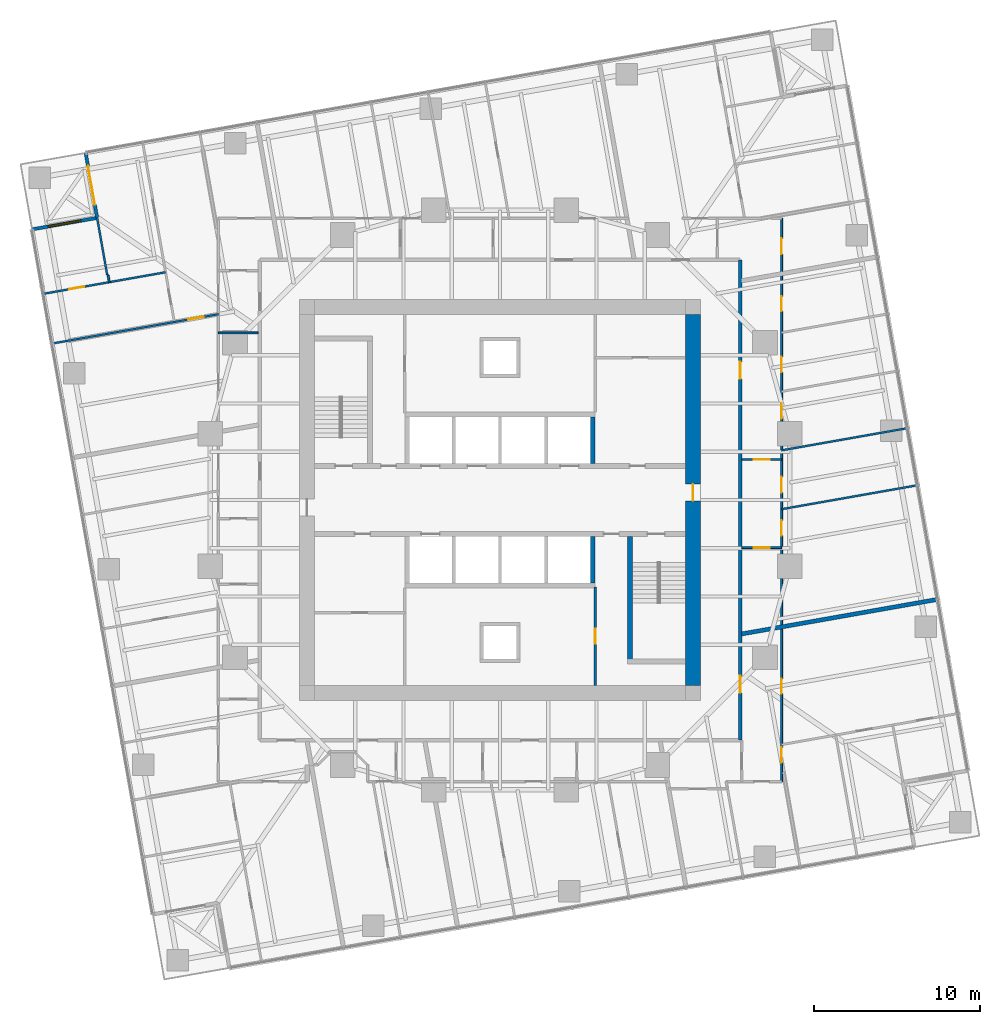
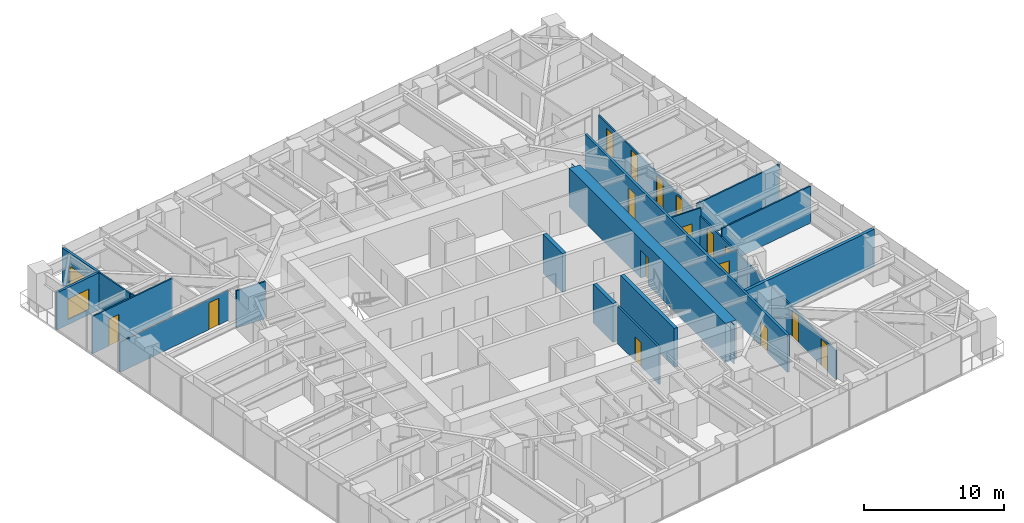
# One storey, part 11 of 14: 19 walls, 17 doors, 1 window, 18 openings.
"""IFC4 building model written with IfcOpenShell, lengths in metres."""

import ifcopenshell
import ifcopenshell.guid

model = None  # the IFC model being written
_history = None  # IfcOwnerHistory: only IFC2X3 demands one
_inside = {}  # id of a spatial element -> (the spatial element, [elements in it])
_under = {}  # id of a project, library or spatial element -> (it, [spatial elements below it])
_declared = {}  # id of a project -> (the project, [libraries it declares])
_typed = {}  # id of a type object -> (the type object, [elements of that type])
_made_of = {}  # id of a material, layer set ... -> (it, [elements and type objects made of it])


def new_model(schema):
    """Start an empty IFC model of exactly this schema.

    Asked for "IFC4X3", IfcOpenShell would pick the latest addendum, in which some entities
    have other attributes; the version numbers below select the first issue.
    IFC2X3 requires an IfcOwnerHistory on every rooted entity: one is made here for all.
    """
    global model, _history
    if schema == "IFC4X3":
        model = ifcopenshell.file(schema_version=(4, 3, 0, 0))
    else:
        model = ifcopenshell.file(schema=schema)
    _inside.clear()
    _under.clear()
    _declared.clear()
    _typed.clear()
    _made_of.clear()
    _history = None
    if model.schema == "IFC2X3":
        org = make("IfcOrganization", Name="unknown")
        user = make(
            "IfcPersonAndOrganization",
            ThePerson=make("IfcPerson", FamilyName="unknown"),
            TheOrganization=org,
        )
        app = make(
            "IfcApplication",
            ApplicationDeveloper=org,
            Version="unknown",
            ApplicationFullName="unknown",
            ApplicationIdentifier="unknown",
        )
        _history = make(
            "IfcOwnerHistory",
            OwningUser=user,
            OwningApplication=app,
            ChangeAction="ADDED",
            CreationDate=0,
        )
    return model


def make(cls, **values):
    """One entity of the class cls with the attributes given. An attribute that is None is left unset."""
    return model.create_entity(
        cls, **{name: value for name, value in values.items() if value is not None}
    )


def rooted(cls, **values):
    """An entity with a GlobalId (a new one), such as an element, a storey or a relation."""
    return make(cls, GlobalId=ifcopenshell.guid.new(), OwnerHistory=_history, **values)


def si_unit(unit_type, name, prefix=None):
    """IfcSIUnit, for example si_unit("LENGTHUNIT", "METRE", prefix="MILLI")."""
    return make("IfcSIUnit", UnitType=unit_type, Prefix=prefix, Name=name)


def assignment(units):
    """IfcUnitAssignment: the units of a project."""
    return None if units is None else make("IfcUnitAssignment", Units=units)


def point(xyz):
    """IfcCartesianPoint."""
    return None if xyz is None else make("IfcCartesianPoint", Coordinates=xyz)


def direction(xyz):
    """IfcDirection."""
    return None if xyz is None else make("IfcDirection", DirectionRatios=xyz)


def frame(location, z_axis=None, x_axis=None):
    """IfcAxis2Placement3D, a coordinate frame: its origin and axes. An axis left out is left unset."""
    return make(
        "IfcAxis2Placement3D",
        Location=point(location),
        Axis=direction(z_axis),
        RefDirection=direction(x_axis),
    )


def frame_2d(location, x_axis=None):
    """IfcAxis2Placement2D, a coordinate frame in the plane: its origin and x axis."""
    return make(
        "IfcAxis2Placement2D", Location=point(location), RefDirection=direction(x_axis)
    )


def origin():
    """The frame at (0, 0, 0) with its axes left unset."""
    return frame((0.0, 0.0, 0.0))


def place(relative_to, where):
    """IfcLocalPlacement: puts the frame where relative to a parent placement (None: the world)."""
    return make(
        "IfcLocalPlacement", PlacementRelTo=relative_to, RelativePlacement=where
    )


def context(
    kind, dimensions, precision=None, world=None, true_north=None, identifier=None
):
    """IfcGeometricRepresentationContext, for example the 3D "Model" context."""
    return make(
        "IfcGeometricRepresentationContext",
        ContextIdentifier=identifier,
        ContextType=kind,
        CoordinateSpaceDimension=dimensions,
        Precision=precision,
        WorldCoordinateSystem=world,
        TrueNorth=true_north,
    )


def subcontext(parent, identifier, kind, view, scale=None):
    """IfcGeometricRepresentationSubContext, for example "Body" below "Model"."""
    return make(
        "IfcGeometricRepresentationSubContext",
        ContextIdentifier=identifier,
        ContextType=kind,
        ParentContext=parent,
        TargetScale=scale,
        TargetView=view,
    )


def project(units=None, contexts=None):
    """IfcProject with its units and contexts."""
    return rooted(
        "IfcProject",
        Name="project",
        RepresentationContexts=contexts,
        UnitsInContext=assignment(units),
    )


def spatial(cls, under=None, at=None, **own):
    """A site, building, storey or space (cls), placed at a placement, below another one or the project."""
    s = rooted(cls, ObjectPlacement=at, **own)
    if under is not None:
        _under.setdefault(under.id(), (under, []))[1].append(s)
    return s


def polyline(points):
    """IfcPolyline through the points."""
    return make("IfcPolyline", Points=[point(p) for p in points])


def profile(cls, at=None, kind="AREA", **sizes):
    """A parametric profile (cls). Its sizes go by their IFC names, for example OverallWidth=200.0."""
    return make(cls, ProfileType=kind, Position=at, **sizes)


def rectangle(**sizes):
    """IfcRectangleProfileDef."""
    return profile("IfcRectangleProfileDef", **sizes)


def outline(outer, holes=None, kind="AREA"):
    """IfcArbitraryClosedProfileDef: a profile drawn as a closed curve; with holes, ...WithVoids."""
    if holes is None:
        return make("IfcArbitraryClosedProfileDef", ProfileType=kind, OuterCurve=outer)
    return make(
        "IfcArbitraryProfileDefWithVoids",
        ProfileType=kind,
        OuterCurve=outer,
        InnerCurves=holes,
    )


def extrude(swept, where, along, depth):
    """IfcExtrudedAreaSolid: the profile swept, set in the frame where, extruded along a direction by depth."""
    return make(
        "IfcExtrudedAreaSolid",
        SweptArea=swept,
        Position=where,
        ExtrudedDirection=direction(along),
        Depth=depth,
    )


def shape(context_of_items, identifier, shape_type, items):
    """IfcShapeRepresentation: the items that make up one representation, for example the "Body"."""
    return make(
        "IfcShapeRepresentation",
        ContextOfItems=context_of_items,
        RepresentationIdentifier=identifier,
        RepresentationType=shape_type,
        Items=items,
    )


def material(Name=None, Category=None):
    """IfcMaterial."""
    return make("IfcMaterial", Name=Name, Category=Category)


def layer(
    of_material, thickness, ventilated=None, Name=None, Category=None, Priority=None
):
    """IfcMaterialLayer: one layer of a wall or slab, of a material (None: an air gap)."""
    return make(
        "IfcMaterialLayer",
        Material=of_material,
        LayerThickness=thickness,
        IsVentilated=ventilated,
        Name=Name,
        Category=Category,
        Priority=Priority,
    )


def layer_set(layers, Name=None):
    """IfcMaterialLayerSet."""
    return make("IfcMaterialLayerSet", MaterialLayers=layers, LayerSetName=Name)


def made_of(thing, what):
    """Note that an element or type object is made of a material, layer set ...; save() writes the relation."""
    if what is not None:
        _made_of.setdefault(what.id(), (what, []))[1].append(thing)
    return thing


def type_object(cls, material=None, **own):
    """A type object (cls), such as IfcWallType, which elements share."""
    return made_of(rooted(cls, **own), material)


def element(
    cls,
    number,
    at=None,
    inside=None,
    cuts=None,
    type_object=None,
    material=None,
    context=None,
    identifier="Body",
    shape_type=None,
    held_by="IfcProductDefinitionShape",
    body=None,
    shapes=None,
    **own,
):
    """One element of the class cls, such as IfcWall. Its Tag is "e" and its number.

    at: its placement. inside: the storey or other place that contains it. cuts: it is an
    opening in that element (IfcRelVoidsElement). A single representation is given by context,
    identifier, shape_type and body (its items); several are given by shapes. held_by: the class
    of the entity that holds the representations. save() writes the other relations.
    """
    e = rooted(cls, Tag="e%d" % number, ObjectPlacement=at, **own)
    if body is not None:
        shapes = [shape(context, identifier, shape_type, body)]
    if shapes is not None:
        e.Representation = make(held_by, Representations=shapes)
    if inside is not None:
        _inside.setdefault(inside.id(), (inside, []))[1].append(e)
    if cuts is not None:
        rooted(
            "IfcRelVoidsElement", RelatingBuildingElement=cuts, RelatedOpeningElement=e
        )
    if type_object is not None:
        _typed.setdefault(type_object.id(), (type_object, []))[1].append(e)
    return made_of(e, material)


def fill(opening, filler):
    """IfcRelFillsElement: the door or window that sits in an opening."""
    return rooted(
        "IfcRelFillsElement",
        RelatingOpeningElement=opening,
        RelatedBuildingElement=filler,
    )


def aggregate(whole, parts):
    """IfcRelAggregates: a whole, such as a stair, and the parts it consists of."""
    return rooted("IfcRelAggregates", RelatingObject=whole, RelatedObjects=parts)


def save(model, path):
    """Write the relations noted so far, then the file.

    IfcRelAggregates (storeys below a building ...), IfcRelContainedInSpatialStructure (elements
    in a storey), IfcRelDefinesByType, IfcRelAssociatesMaterial and IfcRelDeclares: one each for
    every whole, place, type object, material and project.
    """
    for whole, parts in _under.values():
        aggregate(whole, parts)
    for where, things in _inside.values():
        rooted(
            "IfcRelContainedInSpatialStructure",
            RelatedElements=things,
            RelatingStructure=where,
        )
    for kind, things in _typed.values():
        rooted("IfcRelDefinesByType", RelatedObjects=things, RelatingType=kind)
    for what, things in _made_of.values():
        rooted("IfcRelAssociatesMaterial", RelatedObjects=things, RelatingMaterial=what)
    for by, libraries in _declared.values():
        rooted("IfcRelDeclares", RelatingContext=by, RelatedDefinitions=libraries)
    model.write(path)


model = new_model("IFC4")

# Units and contexts
model_context = context("Model", 3, precision=1e-05, world=origin(), true_north=direction((0.0, 1.0)))
body_context = subcontext(model_context, "Body", "Model", "MODEL_VIEW")
ifc_project = project(units=[si_unit("LENGTHUNIT", "METRE"), si_unit("AREAUNIT", "SQUARE_METRE"), si_unit("VOLUMEUNIT", "CUBIC_METRE"), si_unit("PLANEANGLEUNIT", "RADIAN"), si_unit("MASSUNIT", "GRAM", prefix="KILO")], contexts=[model_context])

# Site, building, storey
site_placement = place(None, origin())
site = spatial("IfcSite", under=ifc_project, at=site_placement, CompositionType="ELEMENT")
building_placement = place(site_placement, origin())
building = spatial("IfcBuilding", under=site, at=building_placement, Name="Torsade Residences", CompositionType="ELEMENT")
storey_placement = place(building_placement, frame((0.0, 0.0, 79.39990234375)))
storey = spatial("IfcBuildingStorey", under=building, at=storey_placement, Name="L21", CompositionType="ELEMENT", Elevation=79.39990234375)

# Walls
ifc_material_1 = material(Name="Concrete 80 MPa", Category="concrete")
ifc_layer_1 = layer(ifc_material_1, 0.300048828125)
ifc_layer_set_1 = layer_set([ifc_layer_1], Name="Concrete 80 MPa")
wall_type_1 = type_object("IfcWallType", Name="CORE INTERNAL WALL 300", PredefinedType="SHEAR", material=ifc_layer_set_1)
for number, where, z_axis, x_axis, name in (
    (1, (45.60009765625, 27.800048828125, 0.0), (0.0, 0.0, 1.0), (0.0, -1.0, 0.0), "Core wall DS0 L21"),
    (2, (45.60009765625, 32.199951171875, 0.0), (0.0, 0.0, 1.0), (0.0, 1.0, 0.0), "Core wall DN4 L21"),
):
    element("IfcWall", number, at=place(storey_placement, frame(where, z_axis=z_axis, x_axis=x_axis)), inside=storey, type_object=wall_type_1, Name=name, PredefinedType="SHEAR", context=body_context, shape_type="SweptSolid", body=[
        extrude(rectangle(XDim=2.800048828125, YDim=0.300048828125, at=frame_2d((1.39990234375, 0.0))), origin(), (0.0, 0.0, 1.0), 3.400146484375),
    ])
wall_1_placement = place(storey_placement, frame((47.85009765625, 27.800048828125, 0.0), z_axis=(0.0, 0.0, 1.0), x_axis=(0.0, -1.0, 0.0)))
element("IfcWall", 3, at=wall_1_placement, inside=storey, type_object=wall_type_1, Name="Core wall ST2W L21", PredefinedType="SHEAR", context=body_context, shape_type="SweptSolid", body=[
    extrude(rectangle(XDim=7.699951171875, YDim=0.300048828125, at=frame_2d((3.85009765625, 0.0))), origin(), (0.0, 0.0, 1.0), 3.400146484375),
])

# Wall, opening, door
ifc_material_2 = material(Name="Concrete 80 MPa", Category="concrete")
ifc_layer_2 = layer(ifc_material_2, 0.89990234375)
ifc_layer_set_2 = layer_set([ifc_layer_2], Name="Concrete 80 MPa")
wall_type_2 = type_object("IfcWallType", Name="CORE WALL 900", PredefinedType="SHEAR", material=ifc_layer_set_2)
wall_2_placement = place(storey_placement, frame((51.64990234375, 18.800048828125, 0.0), z_axis=(0.0, 0.0, 1.0), x_axis=(0.0, 1.0, 0.0)))
wall_2 = element("IfcWall", 4, at=wall_2_placement, inside=storey, type_object=wall_type_2, Name="Core wall E L21", PredefinedType="SHEAR", context=body_context, shape_type="SweptSolid", body=[
    extrude(outline(polyline([(0.0, -0.449951171875), (22.39990234375, -0.449951171875), (22.39990234375, -0.02490234375), (22.849853515625, -0.02490234375), (22.849853515625, 0.02490234375), (22.39990234375, 0.02490234375), (22.39990234375, 0.449951171875), (0.0, 0.449951171875), (0.0, 0.02490234375), (-0.449951171875, 0.02490234375), (-0.449951171875, -0.02490234375), (0.0, -0.02490234375), (0.0, -0.449951171875)])), origin(), (0.0, 0.0, 1.0), 3.400146484375),
])
opening_1_placement = place(wall_2_placement, frame((11.139892578125, 0.0, 0.0)))
opening_1 = element("IfcOpeningElement", 5, at=opening_1_placement, cuts=wall_2, Name="Opening D04", PredefinedType="OPENING", context=body_context, shape_type="SweptSolid", body=[
    extrude(rectangle(XDim=1.02001953125, YDim=2.39990234375, at=frame_2d((0.510009765625, 1.199951171875))), frame((0.0, 0.4599609375, 0.0), z_axis=(0.0, -1.0, 0.0), x_axis=(1.0, 0.0, 0.0)), (0.0, 0.0, 1.0), 0.919921875),
])
ifc_material_3 = material(Name="Steel-framed fire door", Category="steel")
door_type_1 = type_object("IfcDoorType", Name="LOBBY SMOKE DOOR 1020x2400", OperationType="NOTDEFINED", PredefinedType="DOOR", material=ifc_material_3)
door_1_placement = place(opening_1_placement, origin())
door_1 = element("IfcDoor", 6, at=door_1_placement, inside=storey, type_object=door_type_1, Name="Lift lobby door E L21", OperationType="SINGLE_SWING_LEFT", OverallHeight=2.39990234375, OverallWidth=1.02001953125, PredefinedType="DOOR", context=body_context, shape_type="SweptSolid", body=[
    extrude(rectangle(XDim=1.02001953125, YDim=2.39990234375, at=frame_2d((0.510009765625, 1.199951171875))), frame((0.0, 0.02490234375, 0.0), z_axis=(0.0, -1.0, 0.0), x_axis=(1.0, 0.0, 0.0)), (0.0, 0.0, 1.0), 0.050048828125),
])
fill(opening_1, door_1)

# Wall, openings, doors
ifc_material_4 = material(Name="Plasterboard on steel stud", Category="steel")
ifc_layer_3 = layer(ifc_material_4, 0.199951171875)
ifc_layer_set_3 = layer_set([ifc_layer_3], Name="Plasterboard on steel stud")
wall_type_3 = type_object("IfcWallType", Name="CORRIDOR WALL 200", PredefinedType="PARTITIONING", material=ifc_layer_set_3)
wall_3_placement = place(storey_placement, frame((54.5, 15.5, 0.0), z_axis=(0.0, 0.0, 1.0), x_axis=(0.0, 1.0, 0.0)))
wall_3 = element("IfcWall", 7, at=wall_3_placement, inside=storey, type_object=wall_type_3, Name="Corridor wall L21", PredefinedType="PARTITIONING", context=body_context, shape_type="SweptSolid", body=[
    extrude(rectangle(XDim=29.0, YDim=0.199951171875, at=frame_2d((14.5, 0.0))), origin(), (0.0, 0.0, 1.0), 3.25),
])
opening_2_placement = place(wall_3_placement, frame((21.8154296875, 0.0, 0.0)))
opening_2 = element("IfcOpeningElement", 8, at=opening_2_placement, cuts=wall_3, Name="Opening D01", PredefinedType="OPENING", context=body_context, shape_type="SweptSolid", body=[
    extrude(rectangle(XDim=1.02001953125, YDim=2.340087890625, at=frame_2d((0.510009765625, 1.169921875))), frame((0.0, 0.10986328125, 0.0), z_axis=(0.0, -1.0, 0.0), x_axis=(1.0, 0.0, 0.0)), (0.0, 0.0, 1.0), 0.219970703125),
])
opening_3_placement = place(wall_3_placement, frame((2.85546875, 0.0, 0.0)))
opening_3 = element("IfcOpeningElement", 9, at=opening_3_placement, cuts=wall_3, Name="Opening D01L", PredefinedType="OPENING", context=body_context, shape_type="SweptSolid", body=[
    extrude(rectangle(XDim=1.02001953125, YDim=2.10009765625, at=frame_2d((0.510009765625, 1.050048828125))), frame((0.0, 0.10986328125, 0.0), z_axis=(0.0, -1.0, 0.0), x_axis=(1.0, 0.0, 0.0)), (0.0, 0.0, 1.0), 0.219970703125),
])
ifc_material_5 = material(Name="Solid-core timber fire door", Category="wood")
door_type_2 = type_object("IfcDoorType", Name="APARTMENT ENTRY DOOR 1020x2100", OperationType="NOTDEFINED", PredefinedType="DOOR", material=ifc_material_5)
door_2_placement = place(opening_3_placement, origin())
door_2 = element("IfcDoor", 10, at=door_2_placement, inside=storey, type_object=door_type_2, Name="Door Residential corridor to Kitchen and dining", OperationType="SINGLE_SWING_LEFT", OverallHeight=2.10009765625, OverallWidth=1.02001953125, PredefinedType="DOOR", context=body_context, shape_type="SweptSolid", body=[
    extrude(rectangle(XDim=1.02001953125, YDim=2.10009765625, at=frame_2d((0.510009765625, 1.050048828125))), frame((0.0, 0.02490234375, 0.0), z_axis=(0.0, -1.0, 0.0), x_axis=(1.0, 0.0, 0.0)), (0.0, 0.0, 1.0), 0.050048828125),
])
fill(opening_3, door_2)
ifc_material_6 = material(Name="Solid-core timber fire door", Category="wood")
door_type_3 = type_object("IfcDoorType", Name="APARTMENT ENTRY DOOR 1020x2340", OperationType="NOTDEFINED", PredefinedType="DOOR", material=ifc_material_6)
door_3_placement = place(opening_2_placement, origin())
door_3 = element("IfcDoor", 11, at=door_3_placement, inside=storey, type_object=door_type_3, Name="Door Residential corridor to Kitchen and dining", OperationType="SINGLE_SWING_LEFT", OverallHeight=2.340087890625, OverallWidth=1.02001953125, PredefinedType="DOOR", context=body_context, shape_type="SweptSolid", body=[
    extrude(rectangle(XDim=1.02001953125, YDim=2.340087890625, at=frame_2d((0.510009765625, 1.169921875))), frame((0.0, 0.02490234375, 0.0), z_axis=(0.0, -1.0, 0.0), x_axis=(1.0, 0.0, 0.0)), (0.0, 0.0, 1.0), 0.050048828125),
])
fill(opening_2, door_3)

ifc_material_7 = material(Name="Plasterboard on steel stud", Category="steel")
ifc_layer_4 = layer(ifc_material_7, 0.1201171875)
ifc_layer_set_4 = layer_set([ifc_layer_4], Name="Plasterboard on steel stud")
wall_type_4 = type_object("IfcWallType", Name="PARTITION 120", PredefinedType="PARTITIONING", material=ifc_layer_set_4)
wall_4_placement = place(storey_placement, frame((57.0, 47.0, 0.0), z_axis=(0.0, 0.0, 1.0), x_axis=(0.0, -1.0, 0.0)))
wall_4 = element("IfcWall", 12, at=wall_4_placement, inside=storey, type_object=wall_type_4, Name="Partition L21", PredefinedType="PARTITIONING", context=body_context, shape_type="SweptSolid", body=[
    extrude(rectangle(XDim=34.0, YDim=0.1201171875, at=frame_2d((17.0, 0.0))), origin(), (0.0, 0.0, 1.0), 2.550048828125),
])
opening_4_placement = place(wall_4_placement, frame((8.361328125, 0.0, 0.0)))
opening_4 = element("IfcOpeningElement", 13, at=opening_4_placement, cuts=wall_4, Name="Opening D02", PredefinedType="OPENING", context=body_context, shape_type="SweptSolid", body=[
    extrude(rectangle(XDim=0.919921875, YDim=2.340087890625, at=frame_2d((0.4599609375, 1.169921875))), frame((0.0, 0.070068359375, 0.0), z_axis=(0.0, -1.0, 0.0), x_axis=(1.0, 0.0, 0.0)), (0.0, 0.0, 1.0), 0.14013671875),
])
opening_5_placement = place(wall_4_placement, frame((11.16552734375, 0.0, 0.0)))
opening_5 = element("IfcOpeningElement", 14, at=opening_5_placement, cuts=wall_4, Name="Opening D02", PredefinedType="OPENING", context=body_context, shape_type="SweptSolid", body=[
    extrude(rectangle(XDim=0.919921875, YDim=2.340087890625, at=frame_2d((0.4599609375, 1.169921875))), frame((0.0, 0.070068359375, 0.0), z_axis=(0.0, -1.0, 0.0), x_axis=(1.0, 0.0, 0.0)), (0.0, 0.0, 1.0), 0.14013671875),
])
opening_6_placement = place(wall_4_placement, frame((4.682861328125, 0.0, 0.0)))
opening_6 = element("IfcOpeningElement", 15, at=opening_6_placement, cuts=wall_4, Name="Opening D02", PredefinedType="OPENING", context=body_context, shape_type="SweptSolid", body=[
    extrude(rectangle(XDim=0.919921875, YDim=2.340087890625, at=frame_2d((0.4599609375, 1.169921875))), frame((0.0, 0.070068359375, 0.0), z_axis=(0.0, -1.0, 0.0), x_axis=(1.0, 0.0, 0.0)), (0.0, 0.0, 1.0), 0.14013671875),
])
opening_7_placement = place(wall_4_placement, frame((27.78369140625, 0.0, 0.0)))
opening_7 = element("IfcOpeningElement", 16, at=opening_7_placement, cuts=wall_4, Name="Opening D02", PredefinedType="OPENING", context=body_context, shape_type="SweptSolid", body=[
    extrude(rectangle(XDim=0.919921875, YDim=2.340087890625, at=frame_2d((0.4599609375, 1.169921875))), frame((0.0, 0.070068359375, 0.0), z_axis=(0.0, -1.0, 0.0), x_axis=(1.0, 0.0, 0.0)), (0.0, 0.0, 1.0), 0.14013671875),
])
opening_8_placement = place(wall_4_placement, frame((31.939208984375, 0.0, 0.0)))
opening_8 = element("IfcOpeningElement", 17, at=opening_8_placement, cuts=wall_4, Name="Opening D02", PredefinedType="OPENING", context=body_context, shape_type="SweptSolid", body=[
    extrude(rectangle(XDim=0.919921875, YDim=2.340087890625, at=frame_2d((0.4599609375, 1.169921875))), frame((0.0, 0.070068359375, 0.0), z_axis=(0.0, -1.0, 0.0), x_axis=(1.0, 0.0, 0.0)), (0.0, 0.0, 1.0), 0.14013671875),
])
opening_9_placement = place(wall_4_placement, frame((15.600830078125, 0.0, 0.0)))
opening_9 = element("IfcOpeningElement", 18, at=opening_9_placement, cuts=wall_4, Name="Opening D05", PredefinedType="OPENING", context=body_context, shape_type="SweptSolid", body=[
    extrude(rectangle(XDim=0.9599609375, YDim=2.10009765625, at=frame_2d((0.47998046875, 1.050048828125))), frame((0.0, 0.070068359375, 0.0), z_axis=(0.0, -1.0, 0.0), x_axis=(1.0, 0.0, 0.0)), (0.0, 0.0, 1.0), 0.14013671875),
])
opening_10_placement = place(wall_4_placement, frame((18.209716796875, 0.0, 0.0)))
opening_10 = element("IfcOpeningElement", 19, at=opening_10_placement, cuts=wall_4, Name="Opening D05", PredefinedType="OPENING", context=body_context, shape_type="SweptSolid", body=[
    extrude(rectangle(XDim=0.9599609375, YDim=2.10009765625, at=frame_2d((0.47998046875, 1.050048828125))), frame((0.0, 0.070068359375, 0.0), z_axis=(0.0, -1.0, 0.0), x_axis=(1.0, 0.0, 0.0)), (0.0, 0.0, 1.0), 0.14013671875),
])
opening_11_placement = place(wall_4_placement, frame((1.190185546875, 0.0, 0.0)))
opening_11 = element("IfcOpeningElement", 20, at=opening_11_placement, cuts=wall_4, Name="Opening D05", PredefinedType="OPENING", context=body_context, shape_type="SweptSolid", body=[
    extrude(rectangle(XDim=0.9599609375, YDim=2.10009765625, at=frame_2d((0.47998046875, 1.050048828125))), frame((0.0, 0.070068359375, 0.0), z_axis=(0.0, -1.0, 0.0), x_axis=(1.0, 0.0, 0.0)), (0.0, 0.0, 1.0), 0.14013671875),
])
ifc_material_8 = material(Name="Hollow-core timber door in a steel cavity frame", Category="steel")
door_type_4 = type_object("IfcDoorType", Name="BATHROOM CAVITY SLIDING DOOR 960", OperationType="SLIDING_TO_LEFT", PredefinedType="DOOR", material=ifc_material_8)
door_4_placement = place(opening_9_placement, origin())
door_4 = element("IfcDoor", 21, at=door_4_placement, inside=storey, type_object=door_type_4, Name="Door Bathroom to Bedroom 1", OperationType="SLIDING_TO_LEFT", OverallHeight=2.10009765625, OverallWidth=0.9599609375, PredefinedType="DOOR", context=body_context, shape_type="SweptSolid", body=[
    extrude(rectangle(XDim=0.9599609375, YDim=2.10009765625, at=frame_2d((0.47998046875, 1.050048828125))), frame((0.0, 0.02490234375, 0.0), z_axis=(0.0, -1.0, 0.0), x_axis=(1.0, 0.0, 0.0)), (0.0, 0.0, 1.0), 0.050048828125),
])
fill(opening_9, door_4)
door_5_placement = place(opening_10_placement, origin())
door_5 = element("IfcDoor", 22, at=door_5_placement, inside=storey, type_object=door_type_4, Name="Door Bathroom to Living room", OperationType="SLIDING_TO_LEFT", OverallHeight=2.10009765625, OverallWidth=0.9599609375, PredefinedType="DOOR", context=body_context, shape_type="SweptSolid", body=[
    extrude(rectangle(XDim=0.9599609375, YDim=2.10009765625, at=frame_2d((0.47998046875, 1.050048828125))), frame((0.0, 0.02490234375, 0.0), z_axis=(0.0, -1.0, 0.0), x_axis=(1.0, 0.0, 0.0)), (0.0, 0.0, 1.0), 0.050048828125),
])
fill(opening_10, door_5)
door_6_placement = place(opening_11_placement, origin())
door_6 = element("IfcDoor", 23, at=door_6_placement, inside=storey, type_object=door_type_4, Name="Door Bathroom to Study", OperationType="SLIDING_TO_LEFT", OverallHeight=2.10009765625, OverallWidth=0.9599609375, PredefinedType="DOOR", context=body_context, shape_type="SweptSolid", body=[
    extrude(rectangle(XDim=0.9599609375, YDim=2.10009765625, at=frame_2d((0.47998046875, 1.050048828125))), frame((0.0, 0.02490234375, 0.0), z_axis=(0.0, -1.0, 0.0), x_axis=(1.0, 0.0, 0.0)), (0.0, 0.0, 1.0), 0.050048828125),
])
fill(opening_11, door_6)
ifc_material_9 = material(Name="Hollow-core timber door", Category="wood")
door_type_5 = type_object("IfcDoorType", Name="INTERNAL DOOR 920x2340", OperationType="NOTDEFINED", PredefinedType="DOOR", material=ifc_material_9)
door_7_placement = place(opening_4_placement, origin())
door_7 = element("IfcDoor", 24, at=door_7_placement, inside=storey, type_object=door_type_5, Name="Door Kitchen and dining to Study", OperationType="SINGLE_SWING_RIGHT", OverallHeight=2.340087890625, OverallWidth=0.919921875, PredefinedType="DOOR", context=body_context, shape_type="SweptSolid", body=[
    extrude(rectangle(XDim=0.919921875, YDim=2.340087890625, at=frame_2d((0.4599609375, 1.169921875))), frame((0.0, 0.02490234375, 0.0), z_axis=(0.0, -1.0, 0.0), x_axis=(1.0, 0.0, 0.0)), (0.0, 0.0, 1.0), 0.050048828125),
])
fill(opening_4, door_7)
door_8_placement = place(opening_5_placement, origin())
door_8 = element("IfcDoor", 25, at=door_8_placement, inside=storey, type_object=door_type_5, Name="Door Kitchen and dining to Bedroom 2", OperationType="SINGLE_SWING_RIGHT", OverallHeight=2.340087890625, OverallWidth=0.919921875, PredefinedType="DOOR", context=body_context, shape_type="SweptSolid", body=[
    extrude(rectangle(XDim=0.919921875, YDim=2.340087890625, at=frame_2d((0.4599609375, 1.169921875))), frame((0.0, 0.02490234375, 0.0), z_axis=(0.0, -1.0, 0.0), x_axis=(1.0, 0.0, 0.0)), (0.0, 0.0, 1.0), 0.050048828125),
])
fill(opening_5, door_8)
door_9_placement = place(opening_6_placement, origin())
door_9 = element("IfcDoor", 26, at=door_9_placement, inside=storey, type_object=door_type_5, Name="Door Kitchen and dining to Family room", OperationType="SINGLE_SWING_RIGHT", OverallHeight=2.340087890625, OverallWidth=0.919921875, PredefinedType="DOOR", context=body_context, shape_type="SweptSolid", body=[
    extrude(rectangle(XDim=0.919921875, YDim=2.340087890625, at=frame_2d((0.4599609375, 1.169921875))), frame((0.0, 0.02490234375, 0.0), z_axis=(0.0, -1.0, 0.0), x_axis=(1.0, 0.0, 0.0)), (0.0, 0.0, 1.0), 0.050048828125),
])
fill(opening_6, door_9)
door_10_placement = place(opening_7_placement, origin())
door_10 = element("IfcDoor", 27, at=door_10_placement, inside=storey, type_object=door_type_5, Name="Door Kitchen and dining to Living room", OperationType="SINGLE_SWING_RIGHT", OverallHeight=2.340087890625, OverallWidth=0.919921875, PredefinedType="DOOR", context=body_context, shape_type="SweptSolid", body=[
    extrude(rectangle(XDim=0.919921875, YDim=2.340087890625, at=frame_2d((0.4599609375, 1.169921875))), frame((0.0, 0.02490234375, 0.0), z_axis=(0.0, -1.0, 0.0), x_axis=(1.0, 0.0, 0.0)), (0.0, 0.0, 1.0), 0.050048828125),
])
fill(opening_7, door_10)
door_11_placement = place(opening_8_placement, origin())
door_11 = element("IfcDoor", 28, at=door_11_placement, inside=storey, type_object=door_type_5, Name="Door Kitchen and dining to Bedroom 2", OperationType="SINGLE_SWING_LEFT", OverallHeight=2.340087890625, OverallWidth=0.919921875, PredefinedType="DOOR", context=body_context, shape_type="SweptSolid", body=[
    extrude(rectangle(XDim=0.919921875, YDim=2.340087890625, at=frame_2d((0.4599609375, 1.169921875))), frame((0.0, 0.02490234375, 0.0), z_axis=(0.0, -1.0, 0.0), x_axis=(1.0, 0.0, 0.0)), (0.0, 0.0, 1.0), 0.050048828125),
])
fill(opening_8, door_11)

# Wall, opening, door
wall_5_placement = place(storey_placement, frame((57.0, 32.44580078125, 0.0), z_axis=(0.0, 0.0, 1.0), x_axis=(-1.0, 0.0, 0.0)))
wall_5 = element("IfcWall", 29, at=wall_5_placement, inside=storey, type_object=wall_type_4, Name="Partition L21", PredefinedType="PARTITIONING", context=body_context, shape_type="SweptSolid", body=[
    extrude(rectangle(XDim=2.39990234375, YDim=0.1201171875, at=frame_2d((1.199951171875, 0.0))), origin(), (0.0, 0.0, 1.0), 3.25),
])
opening_12_placement = place(wall_5_placement, frame((0.719970703125, 0.0, 0.0)))
opening_12 = element("IfcOpeningElement", 30, at=opening_12_placement, cuts=wall_5, Name="Opening D05", PredefinedType="OPENING", context=body_context, shape_type="SweptSolid", body=[
    extrude(rectangle(XDim=0.9599609375, YDim=2.10009765625, at=frame_2d((0.47998046875, 1.050048828125))), frame((0.0, 0.070068359375, 0.0), z_axis=(0.0, -1.0, 0.0), x_axis=(1.0, 0.0, 0.0)), (0.0, 0.0, 1.0), 0.14013671875),
])
door_12_placement = place(opening_12_placement, origin())
door_12 = element("IfcDoor", 31, at=door_12_placement, inside=storey, type_object=door_type_4, Name="Door Kitchen and dining to Bathroom", OperationType="SLIDING_TO_LEFT", OverallHeight=2.10009765625, OverallWidth=0.9599609375, PredefinedType="DOOR", context=body_context, shape_type="SweptSolid", body=[
    extrude(rectangle(XDim=0.9599609375, YDim=2.10009765625, at=frame_2d((0.47998046875, 1.050048828125))), frame((0.0, 0.02490234375, 0.0), z_axis=(0.0, -1.0, 0.0), x_axis=(1.0, 0.0, 0.0)), (0.0, 0.0, 1.0), 0.050048828125),
])
fill(opening_12, door_12)

wall_6_placement = place(storey_placement, frame((57.0, 27.126220703125, 0.0), z_axis=(0.0, 0.0, 1.0), x_axis=(-1.0, 0.0, 0.0)))
wall_6 = element("IfcWall", 32, at=wall_6_placement, inside=storey, type_object=wall_type_4, Name="Partition L21", PredefinedType="PARTITIONING", context=body_context, shape_type="SweptSolid", body=[
    extrude(rectangle(XDim=2.39990234375, YDim=0.1201171875, at=frame_2d((1.199951171875, 0.0))), origin(), (0.0, 0.0, 1.0), 2.796142578125),
])
opening_13_placement = place(wall_6_placement, frame((0.719970703125, 0.0, 0.0)))
opening_13 = element("IfcOpeningElement", 33, at=opening_13_placement, cuts=wall_6, Name="Opening D05", PredefinedType="OPENING", context=body_context, shape_type="SweptSolid", body=[
    extrude(rectangle(XDim=0.9599609375, YDim=2.10009765625, at=frame_2d((0.47998046875, 1.050048828125))), frame((0.0, 0.070068359375, 0.0), z_axis=(0.0, -1.0, 0.0), x_axis=(1.0, 0.0, 0.0)), (0.0, 0.0, 1.0), 0.14013671875),
])
door_13_placement = place(opening_13_placement, origin())
door_13 = element("IfcDoor", 34, at=door_13_placement, inside=storey, type_object=door_type_4, Name="Door Bathroom to Ensuite", OperationType="SLIDING_TO_LEFT", OverallHeight=2.10009765625, OverallWidth=0.9599609375, PredefinedType="DOOR", context=body_context, shape_type="SweptSolid", body=[
    extrude(rectangle(XDim=0.9599609375, YDim=2.10009765625, at=frame_2d((0.47998046875, 1.050048828125))), frame((0.0, 0.02490234375, 0.0), z_axis=(0.0, -1.0, 0.0), x_axis=(1.0, 0.0, 0.0)), (0.0, 0.0, 1.0), 0.050048828125),
])
fill(opening_13, door_13)

# Walls
wall_7_placement = place(storey_placement, frame((57.0, 29.443603515625, 0.0), z_axis=(0.0, 0.0, 1.0), x_axis=(0.984807787824, 0.173647980238, 0.0)))
element("IfcWall", 35, at=wall_7_placement, inside=storey, type_object=wall_type_4, Name="Partition L21", PredefinedType="PARTITIONING", context=body_context, shape_type="SweptSolid", body=[
    extrude(rectangle(XDim=8.314697265625, YDim=0.1201171875, at=frame_2d((4.1572265625, 0.0))), origin(), (0.0, 0.0, 1.0), 3.25),
])
wall_8_placement = place(storey_placement, frame((57.0, 32.99755859375, 0.0), z_axis=(0.0, 0.0, 1.0), x_axis=(0.984808453088, 0.173644207293, 0.0)))
element("IfcWall", 36, at=wall_8_placement, inside=storey, type_object=wall_type_4, Name="Partition L21", PredefinedType="PARTITIONING", context=body_context, shape_type="SweptSolid", body=[
    extrude(rectangle(XDim=7.69775390625, YDim=0.1201171875, at=frame_2d((3.848876953125, 0.0))), origin(), (0.0, 0.0, 1.0), 3.25),
])
wall_9_placement = place(storey_placement, frame((25.39990234375, 40.088134765625, 0.0), z_axis=(0.0, 0.0, 1.0), x_axis=(-1.0, 0.0, 0.0)))
element("IfcWall", 37, at=wall_9_placement, inside=storey, type_object=wall_type_4, Name="Partition L21", PredefinedType="PARTITIONING", context=body_context, shape_type="SweptSolid", body=[
    extrude(rectangle(XDim=2.39990234375, YDim=0.1201171875, at=frame_2d((1.199951171875, 0.0))), origin(), (0.0, 0.0, 1.0), 3.25),
])

# Wall, opening, door
wall_10_placement = place(storey_placement, frame((12.988037109375, 39.453125, 0.0), z_axis=(0.0, 0.0, 1.0), x_axis=(0.984807724889, 0.173648337162, 0.0)))
wall_10 = element("IfcWall", 38, at=wall_10_placement, inside=storey, type_object=wall_type_4, Name="Partition L21", PredefinedType="PARTITIONING", context=body_context, shape_type="SweptSolid", body=[
    extrude(rectangle(XDim=10.16650390625, YDim=0.1201171875, at=frame_2d((5.083251953125, 0.0))), origin(), (0.0, 0.0, 1.0), 2.63818359375),
])
opening_14_placement = place(wall_10_placement, frame((8.328125, 0.0, 0.0)))
opening_14 = element("IfcOpeningElement", 39, at=opening_14_placement, cuts=wall_10, Name="Opening D02", PredefinedType="OPENING", context=body_context, shape_type="SweptSolid", body=[
    extrude(rectangle(XDim=0.919921875, YDim=2.340087890625, at=frame_2d((0.4599609375, 1.169921875))), frame((0.0, 0.070068359375, 0.0), z_axis=(0.0, -1.0, 0.0), x_axis=(1.0, 0.0, 0.0)), (0.0, 0.0, 1.0), 0.14013671875),
])
door_14_placement = place(opening_14_placement, origin())
door_14 = element("IfcDoor", 40, at=door_14_placement, inside=storey, type_object=door_type_5, Name="Door Bedroom 1 to Living room", OperationType="SINGLE_SWING_LEFT", OverallHeight=2.340087890625, OverallWidth=0.919921875, PredefinedType="DOOR", context=body_context, shape_type="SweptSolid", body=[
    extrude(rectangle(XDim=0.919921875, YDim=2.340087890625, at=frame_2d((0.4599609375, 1.169921875))), frame((0.0, 0.02490234375, 0.0), z_axis=(0.0, -1.0, 0.0), x_axis=(1.0, 0.0, 0.0)), (0.0, 0.0, 1.0), 0.050048828125),
])
fill(opening_14, door_14)

wall_11_placement = place(storey_placement, frame((12.45849609375, 42.456787109375, 0.0), z_axis=(0.0, 0.0, 1.0), x_axis=(0.984807929323, 0.173647177755, 0.0)))
wall_11 = element("IfcWall", 41, at=wall_11_placement, inside=storey, type_object=wall_type_4, Name="Partition L21", PredefinedType="PARTITIONING", context=body_context, shape_type="SweptSolid", body=[
    extrude(rectangle(XDim=7.4599609375, YDim=0.1201171875, at=frame_2d((3.72998046875, 0.0))), origin(), (0.0, 0.0, 1.0), 3.25),
])
opening_15_placement = place(wall_11_placement, frame((1.550048828125, 0.0, 0.0)))
opening_15 = element("IfcOpeningElement", 42, at=opening_15_placement, cuts=wall_11, Name="Opening D02", PredefinedType="OPENING", context=body_context, shape_type="SweptSolid", body=[
    extrude(rectangle(XDim=0.919921875, YDim=2.340087890625, at=frame_2d((0.4599609375, 1.169921875))), frame((0.0, 0.070068359375, 0.0), z_axis=(0.0, -1.0, 0.0), x_axis=(1.0, 0.0, 0.0)), (0.0, 0.0, 1.0), 0.14013671875),
])
door_15_placement = place(opening_15_placement, origin())
door_15 = element("IfcDoor", 43, at=door_15_placement, inside=storey, type_object=door_type_5, Name="Door Bedroom 2 to Media room", OperationType="SINGLE_SWING_RIGHT", OverallHeight=2.340087890625, OverallWidth=0.919921875, PredefinedType="DOOR", context=body_context, shape_type="SweptSolid", body=[
    extrude(rectangle(XDim=0.919921875, YDim=2.340087890625, at=frame_2d((0.4599609375, 1.169921875))), frame((0.0, 0.02490234375, 0.0), z_axis=(0.0, -1.0, 0.0), x_axis=(1.0, 0.0, 0.0)), (0.0, 0.0, 1.0), 0.050048828125),
])
fill(opening_15, door_15)

# Walls
wall_12_placement = place(storey_placement, frame((16.40771484375, 43.153076171875, 0.0), z_axis=(0.0, 0.0, 1.0), x_axis=(-0.173630564586, 0.984810858511, 0.0)))
element("IfcWall", 44, at=wall_12_placement, inside=storey, type_object=wall_type_4, Name="Partition L21", PredefinedType="PARTITIONING", context=body_context, shape_type="SweptSolid", body=[
    extrude(rectangle(XDim=0.449951171875, YDim=0.1201171875, at=frame_2d((0.22509765625, 0.0))), origin(), (0.0, 0.0, 1.0), 3.25),
])
wall_13_placement = place(storey_placement, frame((16.2802734375, 43.587646484375, 0.0), z_axis=(0.0, 0.0, 1.0), x_axis=(-0.173660541335, 0.984805572884, 0.0)))
element("IfcWall", 45, at=wall_13_placement, inside=storey, type_object=wall_type_4, Name="Partition L21", PredefinedType="PARTITIONING", context=body_context, shape_type="SweptSolid", body=[
    extrude(rectangle(XDim=3.459716796875, YDim=0.1201171875, at=frame_2d((1.72998046875, 0.0))), origin(), (0.0, 0.0, 1.0), 3.25),
])
ifc_material_10 = material(Name="Masonry-lined stud party wall", Category="masonry")
ifc_layer_5 = layer(ifc_material_10, 0.25)
ifc_layer_set_5 = layer_set([ifc_layer_5], Name="Masonry-lined stud party wall")
wall_type_5 = type_object("IfcWallType", Name="PARTY WALL 250", PredefinedType="PARTITIONING", material=ifc_layer_set_5)
wall_14_placement = place(storey_placement, frame((66.443603515625, 24.000732421875, 0.0), z_axis=(0.0, 0.0, 1.0), x_axis=(-0.984806609184, -0.173654664517, 0.0)))
element("IfcWall", 46, at=wall_14_placement, inside=storey, type_object=wall_type_5, Name="Party wall L21", PredefinedType="PARTITIONING", context=body_context, shape_type="SweptSolid", body=[
    extrude(rectangle(XDim=12.04443359375, YDim=0.25, at=frame_2d((6.022216796875, 0.0))), origin(), (0.0, 0.0, 1.0), 3.25),
])

# Wall, opening, door
ifc_material_11 = material(Name="Reinforced blockwork", Category="masonry")
ifc_layer_6 = layer(ifc_material_11, 0.14990234375)
ifc_layer_set_6 = layer_set([ifc_layer_6], Name="Reinforced blockwork")
wall_type_6 = type_object("IfcWallType", Name="SERVICE ROOM WALL 150", PredefinedType="SOLIDWALL", material=ifc_layer_set_6)
wall_15_placement = place(storey_placement, frame((45.75, 18.800048828125, 0.0), z_axis=(0.0, 0.0, 1.0), x_axis=(0.0, 1.0, 0.0)))
wall_15 = element("IfcWall", 47, at=wall_15_placement, inside=storey, type_object=wall_type_6, Name="Service room wall L21", PredefinedType="SOLIDWALL", context=body_context, shape_type="SweptSolid", body=[
    extrude(rectangle(XDim=5.949951171875, YDim=0.14990234375, at=frame_2d((2.97509765625, 0.0))), origin(), (0.0, 0.0, 1.0), 3.25),
])
opening_16_placement = place(wall_15_placement, frame((2.514892578125, 0.0, 0.0)))
opening_16 = element("IfcOpeningElement", 48, at=opening_16_placement, cuts=wall_15, Name="Opening D06", PredefinedType="OPENING", context=body_context, shape_type="SweptSolid", body=[
    extrude(rectangle(XDim=0.919921875, YDim=2.10009765625, at=frame_2d((0.4599609375, 1.050048828125))), frame((0.0, 0.0849609375, 0.0), z_axis=(0.0, -1.0, 0.0), x_axis=(1.0, 0.0, 0.0)), (0.0, 0.0, 1.0), 0.169921875),
])
ifc_material_12 = material(Name="Steel-framed fire door", Category="steel")
door_type_6 = type_object("IfcDoorType", Name="FIRE DOOR 920", OperationType="NOTDEFINED", PredefinedType="DOOR", material=ifc_material_12)
door_16_placement = place(opening_16_placement, origin())
door_16 = element("IfcDoor", 49, at=door_16_placement, inside=storey, type_object=door_type_6, Name="Door Communications equipment store to Communications riser room", OperationType="SINGLE_SWING_LEFT", OverallHeight=2.10009765625, OverallWidth=0.919921875, PredefinedType="DOOR", context=body_context, shape_type="SweptSolid", body=[
    extrude(rectangle(XDim=0.919921875, YDim=2.10009765625, at=frame_2d((0.4599609375, 1.050048828125))), frame((0.0, 0.02490234375, 0.0), z_axis=(0.0, -1.0, 0.0), x_axis=(1.0, 0.0, 0.0)), (0.0, 0.0, 1.0), 0.050048828125),
])
fill(opening_16, door_16)

ifc_material_13 = material(Name="Stone-faced precast concrete 40 MPa panel", Category="masonry")
ifc_layer_7 = layer(ifc_material_13, 0.199951171875)
ifc_layer_set_7 = layer_set([ifc_layer_7], Name="Stone-faced precast concrete 40 MPa panel")
wall_type_7 = type_object("IfcWallType", Name="TERRACE WALL 200", PredefinedType="SOLIDWALL", material=ifc_layer_set_7)
wall_16_placement = place(storey_placement, frame((14.977783203125, 50.9736328125, 0.0), z_axis=(0.0, 0.0, 1.0), x_axis=(0.173646056486, -0.984808127031, 0.0)))
wall_16 = element("IfcWall", 50, at=wall_16_placement, inside=storey, type_object=wall_type_7, Name="Terrace wall L21 8", PredefinedType="SOLIDWALL", context=body_context, shape_type="SweptSolid", body=[
    extrude(rectangle(XDim=4.0, YDim=0.199951171875, at=frame_2d((2.0, 0.0))), origin(), (0.0, 0.0, 1.0), 3.25),
])
opening_17_placement = place(wall_16_placement, frame((0.800048828125, 0.0, 0.0)))
opening_17 = element("IfcOpeningElement", 51, at=opening_17_placement, cuts=wall_16, Name="Opening D10A", PredefinedType="OPENING", context=body_context, shape_type="SweptSolid", body=[
    extrude(rectangle(XDim=2.39990234375, YDim=2.10009765625, at=frame_2d((1.199951171875, 1.050048828125))), frame((0.0, 0.10986328125, 0.0), z_axis=(0.0, -1.0, 0.0), x_axis=(1.0, 0.0, 0.0)), (0.0, 0.0, 1.0), 0.219970703125),
])
ifc_material_14 = material(Name="Aluminium-framed glass door", Category="aluminium")
door_type_7 = type_object("IfcDoorType", Name="TERRACE SLIDING DOOR 2400x2100", OperationType="SLIDING_TO_LEFT", PredefinedType="DOOR", material=ifc_material_14)
door_17_placement = place(opening_17_placement, origin())
door_17 = element("IfcDoor", 52, at=door_17_placement, inside=storey, type_object=door_type_7, Name="Terrace door L21 8", OperationType="SLIDING_TO_LEFT", OverallHeight=2.10009765625, OverallWidth=2.39990234375, PredefinedType="DOOR", context=body_context, shape_type="SweptSolid", body=[
    extrude(rectangle(XDim=2.39990234375, YDim=2.10009765625, at=frame_2d((1.199951171875, 1.050048828125))), frame((0.0, 0.02490234375, 0.0), z_axis=(0.0, -1.0, 0.0), x_axis=(1.0, 0.0, 0.0)), (0.0, 0.0, 1.0), 0.050048828125),
])
fill(opening_17, door_17)

# Wall, opening, window
wall_17_placement = place(storey_placement, frame((15.67236328125, 47.034423828125, 0.0), z_axis=(0.0, 0.0, 1.0), x_axis=(-0.984808127031, -0.173646056486, 0.0)))
wall_17 = element("IfcWall", 53, at=wall_17_placement, inside=storey, type_object=wall_type_7, Name="Terrace wall L21 9", PredefinedType="SOLIDWALL", context=body_context, shape_type="SweptSolid", body=[
    extrude(rectangle(XDim=4.0, YDim=0.199951171875, at=frame_2d((2.0, 0.0))), origin(), (0.0, 0.0, 1.0), 3.25),
])
opening_18_placement = place(wall_17_placement, frame((1.0, 0.0, 0.449951171875)))
opening_18 = element("IfcOpeningElement", 54, at=opening_18_placement, cuts=wall_17, Name="Opening W1B", PredefinedType="OPENING", context=body_context, shape_type="SweptSolid", body=[
    extrude(rectangle(XDim=2.0, YDim=1.800048828125, at=frame_2d((1.0, 0.89990234375))), frame((0.0, 0.10986328125, 0.0), z_axis=(0.0, -1.0, 0.0), x_axis=(1.0, 0.0, 0.0)), (0.0, 0.0, 1.0), 0.219970703125),
])
ifc_material_15 = material(Name="Aluminium-framed glass window", Category="aluminium")
window_type = type_object("IfcWindowType", Name="TERRACE WINDOW 2000x1800", PartitioningType="SINGLE_PANEL", PredefinedType="WINDOW", material=ifc_material_15)
window_placement = place(opening_18_placement, origin())
window = element("IfcWindow", 55, at=window_placement, inside=storey, type_object=window_type, Name="Terrace window L21 9", OverallHeight=1.800048828125, OverallWidth=2.0, PartitioningType="SINGLE_PANEL", PredefinedType="WINDOW", context=body_context, shape_type="SweptSolid", body=[
    extrude(rectangle(XDim=2.0, YDim=1.800048828125, at=frame_2d((1.0, 0.89990234375))), frame((0.0, 0.030029296875, 0.0), z_axis=(0.0, -1.0, 0.0), x_axis=(1.0, 0.0, 0.0)), (0.0, 0.0, 1.0), 0.06005859375),
])
fill(opening_18, window)

save(model, "model.ifc")
